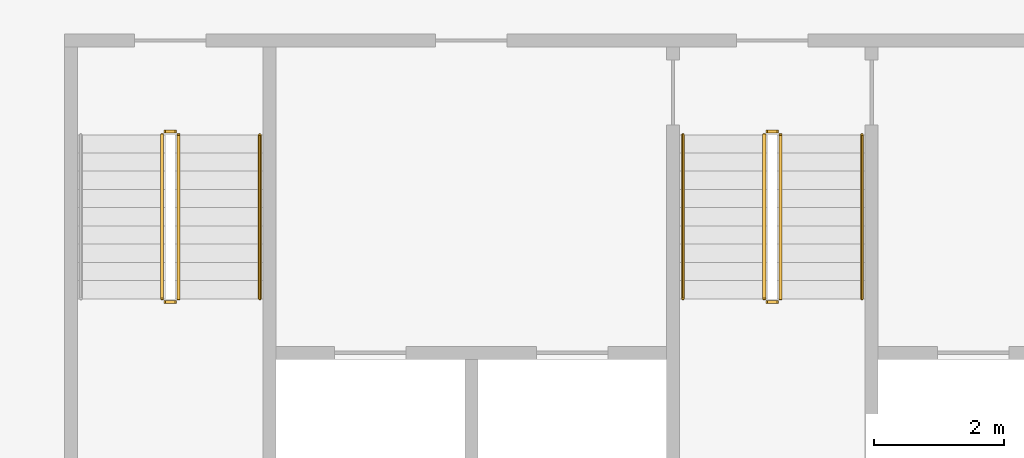
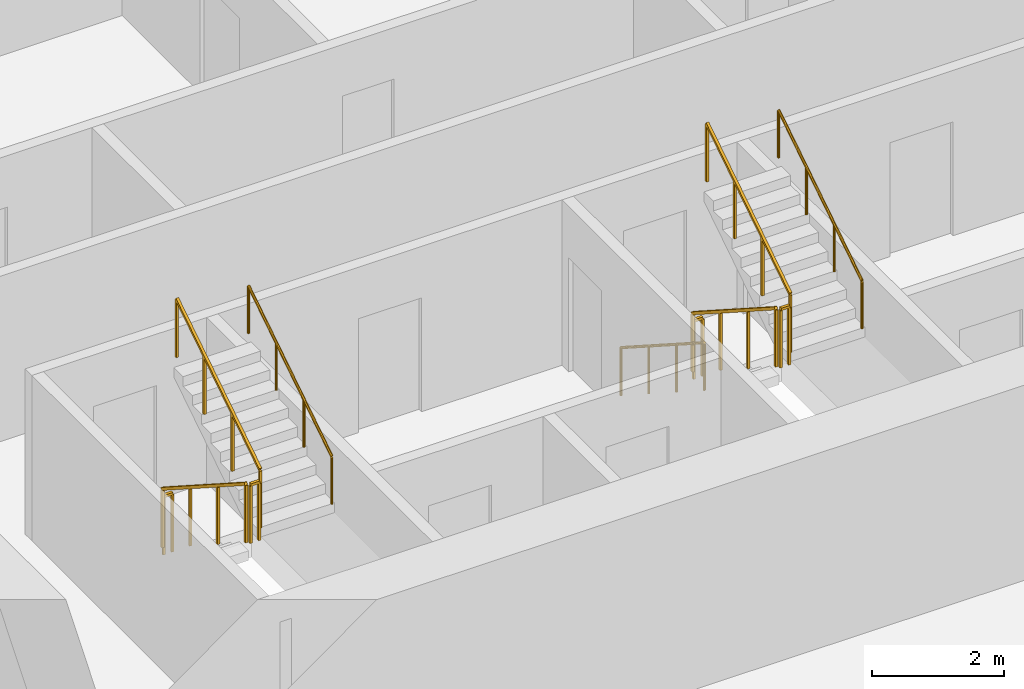
# One storey, part 14 of 16: 11 railings.
"""IFC4 building model written with IfcOpenShell, lengths in metres."""

from ifc_helpers import new_model, si_unit, direction, frame, origin, origin_2d, place, context, subcontext, project, spatial, rectangle, circle, extrude, material, type_object, element, save


model = new_model("IFC4")

# Units and contexts
model_context = context("Model", 3, precision=1e-05, world=origin(), true_north=direction((0.0, 1.0)))
body_context = subcontext(model_context, "Body", "Model", "MODEL_VIEW")
ifc_project = project(units=[si_unit("LENGTHUNIT", "METRE"), si_unit("AREAUNIT", "SQUARE_METRE"), si_unit("VOLUMEUNIT", "CUBIC_METRE"), si_unit("PLANEANGLEUNIT", "RADIAN"), si_unit("MASSUNIT", "GRAM", prefix="KILO")], contexts=[model_context])

# Site, building, storey
site_placement = place(None, origin())
site = spatial("IfcSite", under=ifc_project, at=site_placement, CompositionType="ELEMENT")
building_placement = place(site_placement, origin())
building = spatial("IfcBuilding", under=site, at=building_placement, Name="Mangrove Gate Tower", CompositionType="ELEMENT")
storey_placement = place(building_placement, frame((0.0, 0.0, 140.89990234375)))
storey = spatial("IfcBuildingStorey", under=building, at=storey_placement, Name="L35", CompositionType="ELEMENT", Elevation=140.89990234375)

# Railings
ifc_material_1 = material(Name="Stainless steel 316", Category="steel")
railing_type_1 = type_object("IfcRailingType", Name="Core stair guard 1100", PredefinedType="GUARDRAIL", material=ifc_material_1)
railing_1_placement = place(storey_placement, frame((-9.39990234375, -4.64990234375, 0.18017578125)))
element("IfcRailing", 1, at=railing_1_placement, inside=storey, type_object=railing_type_1, Name="L35 ST1 stair guard 1", PredefinedType="GUARDRAIL", context=body_context, shape_type="SweptSolid", body=[
    extrude(rectangle(XDim=0.048095703125, YDim=0.048095703125, at=origin_2d()), frame((0.0, 0.0, 1.076171875), z_axis=(0.0, -0.841199657755, 0.540724639528), x_axis=(1.0, 0.0, 0.0)), (0.0, 0.0, 1.0), 2.995849609375),
    extrude(rectangle(XDim=0.0419921875, YDim=0.0419921875, at=origin_2d()), origin(), (0.0, 0.0, 1.0), 1.052001953125),
    extrude(rectangle(XDim=0.0419921875, YDim=0.0419921875, at=origin_2d()), frame((0.0, -0.840087890625, 0.5400390625)), (0.0, 0.0, 1.0), 1.052001953125),
    extrude(rectangle(XDim=0.0419921875, YDim=0.0419921875, at=origin_2d()), frame((0.0, -1.679931640625, 1.079833984375)), (0.0, 0.0, 1.0), 1.052001953125),
    extrude(rectangle(XDim=0.0419921875, YDim=0.0419921875, at=origin_2d()), frame((0.0, -2.52001953125, 1.619873046875)), (0.0, 0.0, 1.0), 1.052001953125),
])
railing_2_placement = place(storey_placement, frame((-9.35009765625, -7.219970703125, 1.800048828125)))
element("IfcRailing", 2, at=railing_2_placement, inside=storey, type_object=railing_type_1, Name="L35 ST1 stair guard 2", PredefinedType="GUARDRAIL", context=body_context, shape_type="SweptSolid", body=[
    extrude(rectangle(XDim=0.048095703125, YDim=0.048095703125, at=origin_2d()), frame((0.0, 0.0, 1.076171875), z_axis=(1.0, 0.0, 0.0), x_axis=(0.0, 1.0, 0.0)), (0.0, 0.0, 1.0), 0.150146484375),
    extrude(rectangle(XDim=0.0419921875, YDim=0.0419921875, at=origin_2d()), origin(), (0.0, 0.0, 1.0), 1.052001953125),
    extrude(rectangle(XDim=0.0419921875, YDim=0.0419921875, at=origin_2d()), frame((0.150146484375, 0.0, 0.0)), (0.0, 0.0, 1.0), 1.052001953125),
])
railing_3_placement = place(storey_placement, frame((-9.14990234375, -7.169921875, 1.97998046875)))
element("IfcRailing", 3, at=railing_3_placement, inside=storey, type_object=railing_type_1, Name="L35 ST1 stair guard 3", PredefinedType="GUARDRAIL", context=body_context, shape_type="SweptSolid", body=[
    extrude(rectangle(XDim=0.048095703125, YDim=0.048095703125, at=origin_2d()), frame((0.0, 0.0, 1.076171875), z_axis=(0.0, 0.841162588446, 0.540782303519), x_axis=(-1.0, 0.0, 0.0)), (0.0, 0.0, 1.0), 2.995849609375),
    extrude(rectangle(XDim=0.0419921875, YDim=0.0419921875, at=origin_2d()), origin(), (0.0, 0.0, 1.0), 1.052001953125),
    extrude(rectangle(XDim=0.0419921875, YDim=0.0419921875, at=origin_2d()), frame((0.0, 0.840087890625, 0.5400390625)), (0.0, 0.0, 1.0), 1.052001953125),
    extrude(rectangle(XDim=0.0419921875, YDim=0.0419921875, at=origin_2d()), frame((0.0, 1.679931640625, 1.080078125)), (0.0, 0.0, 1.0), 1.052001953125),
    extrude(rectangle(XDim=0.0419921875, YDim=0.0419921875, at=origin_2d()), frame((0.0, 2.52001953125, 1.6201171875)), (0.0, 0.0, 1.0), 1.052001953125),
])
railing_4_placement = place(storey_placement, frame((-9.35009765625, -4.60009765625, 0.0)))
element("IfcRailing", 4, at=railing_4_placement, inside=storey, type_object=railing_type_1, Name="L35 ST1 stair guard 4", PredefinedType="GUARDRAIL", context=body_context, shape_type="SweptSolid", body=[
    extrude(rectangle(XDim=0.048095703125, YDim=0.048095703125, at=origin_2d()), frame((0.0, 0.0, 1.076171875), z_axis=(1.0, 0.0, 0.0), x_axis=(0.0, 1.0, 0.0)), (0.0, 0.0, 1.0), 0.150146484375),
    extrude(rectangle(XDim=0.0419921875, YDim=0.0419921875, at=origin_2d()), origin(), (0.0, 0.0, 1.0), 1.052001953125),
    extrude(rectangle(XDim=0.0419921875, YDim=0.0419921875, at=origin_2d()), frame((0.150146484375, 0.0, 0.0)), (0.0, 0.0, 1.0), 1.052001953125),
])
railing_5_placement = place(storey_placement, frame((-0.14990234375, -4.64990234375, 0.18017578125)))
element("IfcRailing", 5, at=railing_5_placement, inside=storey, type_object=railing_type_1, Name="L35 ST2 stair guard 1", PredefinedType="GUARDRAIL", context=body_context, shape_type="SweptSolid", body=[
    extrude(rectangle(XDim=0.048095703125, YDim=0.048095703125, at=origin_2d()), frame((0.0, 0.0, 1.076171875), z_axis=(0.0, -0.841199657755, 0.540724639528), x_axis=(1.0, 0.0, 0.0)), (0.0, 0.0, 1.0), 2.995849609375),
    extrude(rectangle(XDim=0.0419921875, YDim=0.0419921875, at=origin_2d()), origin(), (0.0, 0.0, 1.0), 1.052001953125),
    extrude(rectangle(XDim=0.0419921875, YDim=0.0419921875, at=origin_2d()), frame((0.0, -0.840087890625, 0.5400390625)), (0.0, 0.0, 1.0), 1.052001953125),
    extrude(rectangle(XDim=0.0419921875, YDim=0.0419921875, at=origin_2d()), frame((0.0, -1.679931640625, 1.079833984375)), (0.0, 0.0, 1.0), 1.052001953125),
    extrude(rectangle(XDim=0.0419921875, YDim=0.0419921875, at=origin_2d()), frame((0.0, -2.52001953125, 1.619873046875)), (0.0, 0.0, 1.0), 1.052001953125),
])
railing_6_placement = place(storey_placement, frame((-0.10009765625, -7.219970703125, 1.800048828125)))
element("IfcRailing", 6, at=railing_6_placement, inside=storey, type_object=railing_type_1, Name="L35 ST2 stair guard 2", PredefinedType="GUARDRAIL", context=body_context, shape_type="SweptSolid", body=[
    extrude(rectangle(XDim=0.048095703125, YDim=0.048095703125, at=origin_2d()), frame((0.0, 0.0, 1.076171875), z_axis=(1.0, 0.0, 0.0), x_axis=(0.0, 1.0, 0.0)), (0.0, 0.0, 1.0), 0.150146484375),
    extrude(rectangle(XDim=0.0419921875, YDim=0.0419921875, at=origin_2d()), origin(), (0.0, 0.0, 1.0), 1.052001953125),
    extrude(rectangle(XDim=0.0419921875, YDim=0.0419921875, at=origin_2d()), frame((0.150146484375, 0.0, 0.0)), (0.0, 0.0, 1.0), 1.052001953125),
])
railing_7_placement = place(storey_placement, frame((0.10009765625, -7.169921875, 1.97998046875)))
element("IfcRailing", 7, at=railing_7_placement, inside=storey, type_object=railing_type_1, Name="L35 ST2 stair guard 3", PredefinedType="GUARDRAIL", context=body_context, shape_type="SweptSolid", body=[
    extrude(rectangle(XDim=0.048095703125, YDim=0.048095703125, at=origin_2d()), frame((0.0, 0.0, 1.076171875), z_axis=(0.0, 0.841162588446, 0.540782303519), x_axis=(-1.0, 0.0, 0.0)), (0.0, 0.0, 1.0), 2.995849609375),
    extrude(rectangle(XDim=0.0419921875, YDim=0.0419921875, at=origin_2d()), origin(), (0.0, 0.0, 1.0), 1.052001953125),
    extrude(rectangle(XDim=0.0419921875, YDim=0.0419921875, at=origin_2d()), frame((0.0, 0.840087890625, 0.5400390625)), (0.0, 0.0, 1.0), 1.052001953125),
    extrude(rectangle(XDim=0.0419921875, YDim=0.0419921875, at=origin_2d()), frame((0.0, 1.679931640625, 1.080078125)), (0.0, 0.0, 1.0), 1.052001953125),
    extrude(rectangle(XDim=0.0419921875, YDim=0.0419921875, at=origin_2d()), frame((0.0, 2.52001953125, 1.6201171875)), (0.0, 0.0, 1.0), 1.052001953125),
])
railing_8_placement = place(storey_placement, frame((-0.10009765625, -4.60009765625, 0.0)))
element("IfcRailing", 8, at=railing_8_placement, inside=storey, type_object=railing_type_1, Name="L35 ST2 stair guard 4", PredefinedType="GUARDRAIL", context=body_context, shape_type="SweptSolid", body=[
    extrude(rectangle(XDim=0.048095703125, YDim=0.048095703125, at=origin_2d()), frame((0.0, 0.0, 1.076171875), z_axis=(1.0, 0.0, 0.0), x_axis=(0.0, 1.0, 0.0)), (0.0, 0.0, 1.0), 0.150146484375),
    extrude(rectangle(XDim=0.0419921875, YDim=0.0419921875, at=origin_2d()), origin(), (0.0, 0.0, 1.0), 1.052001953125),
    extrude(rectangle(XDim=0.0419921875, YDim=0.0419921875, at=origin_2d()), frame((0.150146484375, 0.0, 0.0)), (0.0, 0.0, 1.0), 1.052001953125),
])
ifc_material_2 = material(Name="Stainless steel 316", Category="steel")
railing_type_2 = type_object("IfcRailingType", Name="Core stair handrail 900", PredefinedType="HANDRAIL", material=ifc_material_2)
railing_9_placement = place(storey_placement, frame((-7.89990234375, -7.169921875, 1.97998046875)))
element("IfcRailing", 9, at=railing_9_placement, inside=storey, type_object=railing_type_2, Name="L35 ST1 stair handrail 2", PredefinedType="HANDRAIL", context=body_context, shape_type="SweptSolid", body=[
    extrude(circle(Radius=0.02392578125, at=origin_2d()), frame((0.0, 0.0, 0.8759765625), z_axis=(0.0, 0.841162588446, 0.540782303519), x_axis=(-1.0, 0.0, 0.0)), (0.0, 0.0, 1.0), 2.995849609375),
    extrude(circle(Radius=0.02099609375, at=origin_2d()), origin(), (0.0, 0.0, 1.0), 0.851806640625),
    extrude(circle(Radius=0.02099609375, at=origin_2d()), frame((0.0, 0.840087890625, 0.5400390625)), (0.0, 0.0, 1.0), 0.851806640625),
    extrude(circle(Radius=0.02099609375, at=origin_2d()), frame((0.0, 1.679931640625, 1.080078125)), (0.0, 0.0, 1.0), 0.851806640625),
    extrude(circle(Radius=0.02099609375, at=origin_2d()), frame((0.0, 2.52001953125, 1.6201171875)), (0.0, 0.0, 1.0), 0.851806640625),
])
railing_10_placement = place(storey_placement, frame((-1.39990234375, -4.64990234375, 0.18017578125)))
element("IfcRailing", 10, at=railing_10_placement, inside=storey, type_object=railing_type_2, Name="L35 ST2 stair handrail 1", PredefinedType="HANDRAIL", context=body_context, shape_type="SweptSolid", body=[
    extrude(circle(Radius=0.02392578125, at=origin_2d()), frame((0.0, 0.0, 0.8759765625), z_axis=(0.0, -0.841199657755, 0.540724639528), x_axis=(1.0, 0.0, 0.0)), (0.0, 0.0, 1.0), 2.995849609375),
    extrude(circle(Radius=0.02099609375, at=origin_2d()), origin(), (0.0, 0.0, 1.0), 0.851806640625),
    extrude(circle(Radius=0.02099609375, at=origin_2d()), frame((0.0, -0.840087890625, 0.5400390625)), (0.0, 0.0, 1.0), 0.851806640625),
    extrude(circle(Radius=0.02099609375, at=origin_2d()), frame((0.0, -1.679931640625, 1.079833984375)), (0.0, 0.0, 1.0), 0.851806640625),
    extrude(circle(Radius=0.02099609375, at=origin_2d()), frame((0.0, -2.52001953125, 1.619873046875)), (0.0, 0.0, 1.0), 0.851806640625),
])
railing_11_placement = place(storey_placement, frame((1.35009765625, -7.169921875, 1.97998046875)))
element("IfcRailing", 11, at=railing_11_placement, inside=storey, type_object=railing_type_2, Name="L35 ST2 stair handrail 2", PredefinedType="HANDRAIL", context=body_context, shape_type="SweptSolid", body=[
    extrude(circle(Radius=0.02392578125, at=origin_2d()), frame((0.0, 0.0, 0.8759765625), z_axis=(0.0, 0.841162588446, 0.540782303519), x_axis=(-1.0, 0.0, 0.0)), (0.0, 0.0, 1.0), 2.995849609375),
    extrude(circle(Radius=0.02099609375, at=origin_2d()), origin(), (0.0, 0.0, 1.0), 0.851806640625),
    extrude(circle(Radius=0.02099609375, at=origin_2d()), frame((0.0, 0.840087890625, 0.5400390625)), (0.0, 0.0, 1.0), 0.851806640625),
    extrude(circle(Radius=0.02099609375, at=origin_2d()), frame((0.0, 1.679931640625, 1.080078125)), (0.0, 0.0, 1.0), 0.851806640625),
    extrude(circle(Radius=0.02099609375, at=origin_2d()), frame((0.0, 2.52001953125, 1.6201171875)), (0.0, 0.0, 1.0), 0.851806640625),
])

save(model, "model.ifc")
